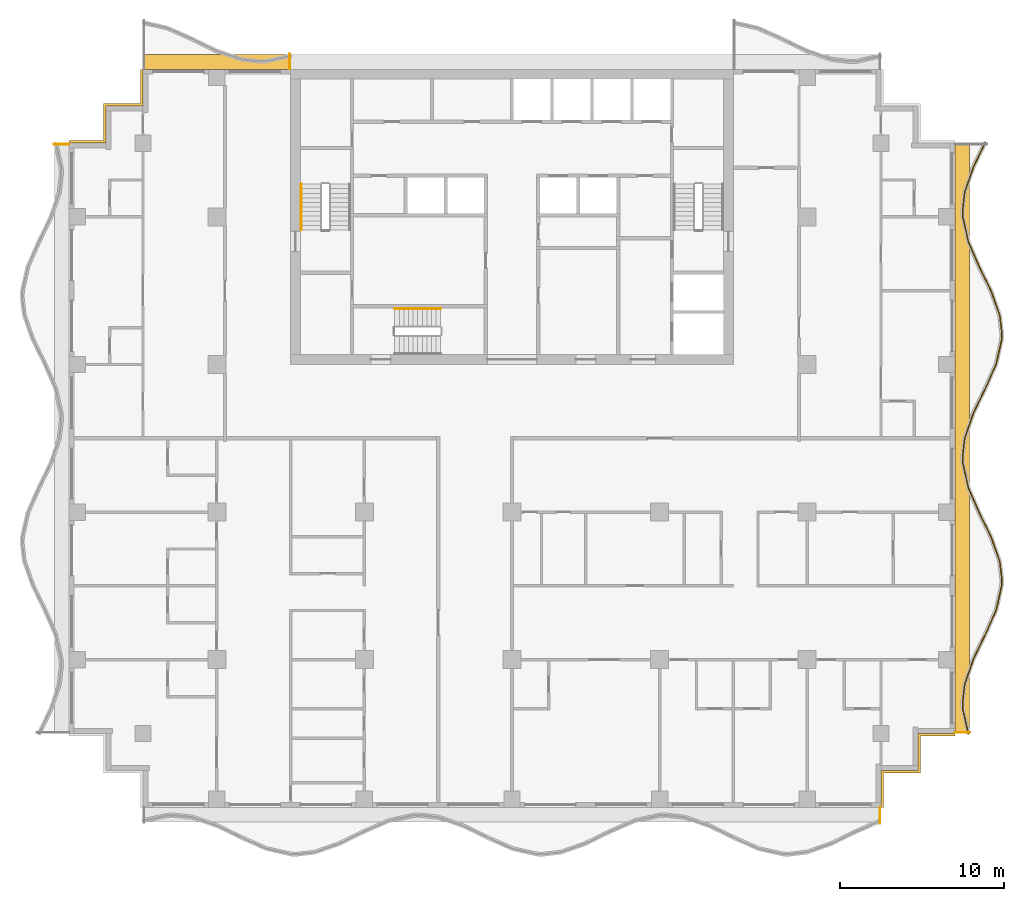
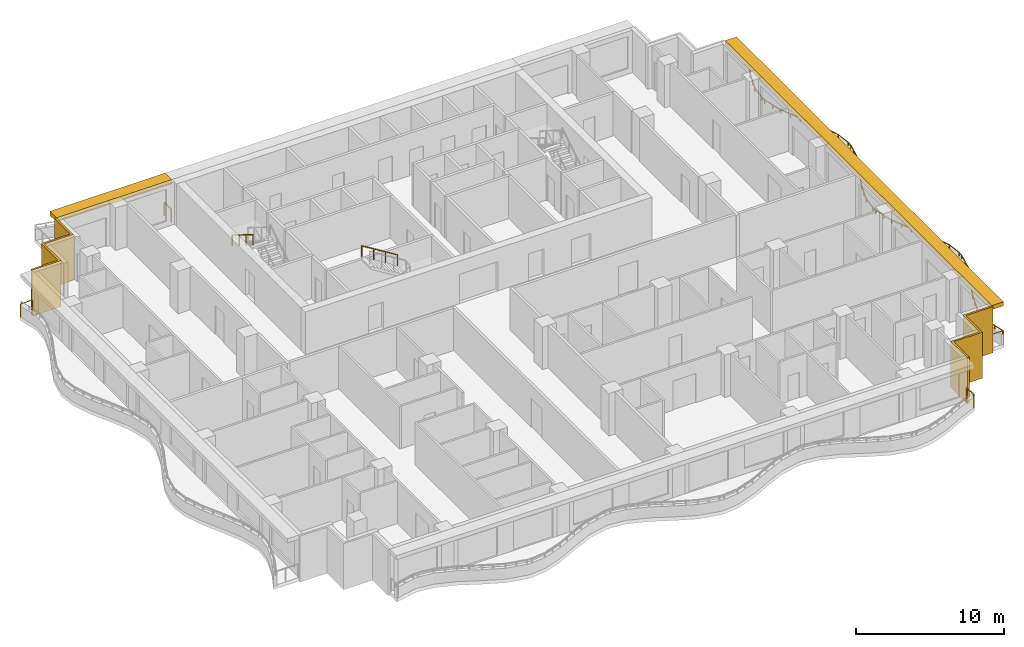
# One storey, part 10 of 11: 7 railings, 4 shading devices.
"""IFC4 building model written with IfcOpenShell, lengths in metres."""

from ifc_helpers import new_model, si_unit, direction, frame, origin, origin_2d, place, context, subcontext, project, spatial, polyline, rectangle, circle, outline, extrude, material, layer, layer_set, type_object, element, save


model = new_model("IFC4")

# Units and contexts
model_context = context("Model", 3, precision=1e-05, world=origin(), true_north=direction((0.0, 1.0)))
body_context = subcontext(model_context, "Body", "Model", "MODEL_VIEW")
ifc_project = project(units=[si_unit("LENGTHUNIT", "METRE"), si_unit("AREAUNIT", "SQUARE_METRE"), si_unit("VOLUMEUNIT", "CUBIC_METRE"), si_unit("PLANEANGLEUNIT", "RADIAN"), si_unit("MASSUNIT", "GRAM", prefix="KILO")], contexts=[model_context])

# Site, building, storey
site_placement = place(None, origin())
site = spatial("IfcSite", under=ifc_project, at=site_placement, CompositionType="ELEMENT")
building_placement = place(site_placement, origin())
building = spatial("IfcBuilding", under=site, at=building_placement, Name="Orbiselva Terraces", CompositionType="ELEMENT")
storey_placement = place(building_placement, frame((0.0, 0.0, 199.6)))
storey = spatial("IfcBuildingStorey", under=building, at=storey_placement, Name="L50", CompositionType="ELEMENT", Elevation=199.6)

# Railings
ifc_material_1 = material(Name="Stainless steel", Category="steel")
railing_type_1 = type_object("IfcRailingType", Name="CORE-HANDRAIL-900", PredefinedType="HANDRAIL", material=ifc_material_1)
railing_1_placement = place(storey_placement, frame((-12.85, 15.5, 2.072727)))
element("IfcRailing", 1, at=railing_1_placement, inside=storey, type_object=railing_type_1, Name="L50 S1 stair handrail 2", PredefinedType="HANDRAIL", context=body_context, shape_type="SweptSolid", body=[
    extrude(circle(Radius=0.024, at=origin_2d()), frame((0.0, 0.0, 0.876), z_axis=(0.0, -0.851088519012, 0.52502222125), x_axis=(1.0, 0.0, 0.0)), (0.0, 0.0, 1.0), 3.289905),
    extrude(circle(Radius=0.021, at=origin_2d()), origin(), (0.0, 0.0, 1.0), 0.852),
    extrude(circle(Radius=0.021, at=origin_2d()), frame((0.0, -0.933333, 0.575758)), (0.0, 0.0, 1.0), 0.852),
    extrude(circle(Radius=0.021, at=origin_2d()), frame((0.0, -1.866667, 1.151515)), (0.0, 0.0, 1.0), 0.852),
    extrude(circle(Radius=0.021, at=origin_2d()), frame((0.0, -2.8, 1.727273)), (0.0, 0.0, 1.0), 0.852),
])
railing_2_placement = place(storey_placement, frame((-4.35, 7.9, 2.072727)))
element("IfcRailing", 2, at=railing_2_placement, inside=storey, type_object=railing_type_1, Name="L50 S3 stair handrail 2", PredefinedType="HANDRAIL", context=body_context, shape_type="SweptSolid", body=[
    extrude(circle(Radius=0.024, at=origin_2d()), frame((0.0, 0.0, 0.876), z_axis=(-0.851088519012, 0.0, 0.52502222125), x_axis=(0.0, -1.0, 0.0)), (0.0, 0.0, 1.0), 3.289905),
    extrude(circle(Radius=0.021, at=origin_2d()), origin(), (0.0, 0.0, 1.0), 0.852),
    extrude(circle(Radius=0.021, at=origin_2d()), frame((-0.933333, 0.0, 0.575758)), (0.0, 0.0, 1.0), 0.852),
    extrude(circle(Radius=0.021, at=origin_2d()), frame((-1.866667, 0.0, 1.151515)), (0.0, 0.0, 1.0), 0.852),
    extrude(circle(Radius=0.021, at=origin_2d()), frame((-2.8, 0.0, 1.727273)), (0.0, 0.0, 1.0), 0.852),
])
ifc_material_2 = material(Name="Bonded two-ply safety glass balustrade, stainless steel posts", Category="steel")
railing_type_2 = type_object("IfcRailingType", Name="ENV-BALUSTRADE-1200", PredefinedType="BALUSTRADE", material=ifc_material_2)
railing_3_placement = place(storey_placement, frame((27.829507, -18.027377, 0.9)))
element("IfcRailing", 3, at=railing_3_placement, inside=storey, type_object=railing_type_2, Name="Balcony balustrade L50 E", PredefinedType="BALUSTRADE", context=body_context, shape_type="SweptSolid", body=[
    extrude(outline(polyline([(0.028868, 0.0), (0.014434, 0.025), (-0.014434, 0.025), (-0.028868, 0.0), (-0.014434, -0.025), (0.014434, -0.025), (0.028868, 0.0)])), frame((0.0, 0.0, 0.275), z_axis=(-0.219015484484, 0.97572138316, 0.0), x_axis=(-0.97572138316, -0.219015484484, 0.0)), (0.0, 0.0, 1.0), 1.548694),
    extrude(outline(polyline([(0.028868, 0.0), (0.014434, 0.025), (-0.014434, 0.025), (-0.028868, 0.0), (-0.014434, -0.025), (0.014434, -0.025), (0.028868, 0.0)])), frame((-0.339188, 1.511094, 0.275), z_axis=(-0.03936915532, 0.999224734286, 0.0), x_axis=(-0.999224734286, -0.03936915532, 0.0)), (0.0, 0.0, 1.0), 0.396376),
    extrude(outline(polyline([(0.028868, 0.0), (0.014434, 0.025), (-0.014434, 0.025), (-0.028868, 0.0), (-0.014434, -0.025), (0.014434, -0.025), (0.028868, 0.0)])), frame((-0.354793, 1.907163, 0.275), z_axis=(0.115482182324, 0.993309551734, 0.0), x_axis=(-0.993309551734, 0.115482182324, 0.0)), (0.0, 0.0, 1.0), 1.156135),
    extrude(outline(polyline([(0.028868, 0.0), (0.014434, 0.025), (-0.014434, 0.025), (-0.028868, 0.0), (-0.014434, -0.025), (0.014434, -0.025), (0.028868, 0.0)])), frame((-0.22128, 3.055563, 0.275), z_axis=(0.330024597479, 0.943972332783, 0.0), x_axis=(-0.943972332783, 0.330024597479, 0.0)), (0.0, 0.0, 1.0), 1.610253),
    extrude(outline(polyline([(0.028868, 0.0), (0.014434, 0.025), (-0.014434, 0.025), (-0.028868, 0.0), (-0.014434, -0.025), (0.014434, -0.025), (0.028868, 0.0)])), frame((0.310143, 4.575597, 0.275), z_axis=(0.438812048596, 0.898578870221, 0.0), x_axis=(-0.898578870221, 0.438812048596, 0.0)), (0.0, 0.0, 1.0), 1.674225),
    extrude(outline(polyline([(0.028868, 0.0), (0.014434, 0.025), (-0.014434, 0.025), (-0.028868, 0.0), (-0.014434, -0.025), (0.014434, -0.025), (0.028868, 0.0)])), frame((1.044813, 6.08002, 0.275), z_axis=(0.403151245402, 0.915133363686, 0.0), x_axis=(-0.915133363686, 0.403151245402, 0.0)), (0.0, 0.0, 1.0), 1.624475),
    extrude(outline(polyline([(0.028868, 0.0), (0.014434, 0.025), (-0.014434, 0.025), (-0.028868, 0.0), (-0.014434, -0.025), (0.014434, -0.025), (0.028868, 0.0)])), frame((1.699722, 7.566631, 0.275), z_axis=(0.219015740235, 0.975721325753, 0.0), x_axis=(-0.975721325753, 0.219015740235, 0.0)), (0.0, 0.0, 1.0), 1.513782),
    extrude(outline(polyline([(0.028868, 0.0), (0.014434, 0.025), (-0.014434, 0.025), (-0.028868, 0.0), (-0.014434, -0.025), (0.014434, -0.025), (0.028868, 0.0)])), frame((2.031264, 9.04366, 0.275), z_axis=(0.039364150694, 0.999224931454, 0.0), x_axis=(-0.999224931454, 0.039364150694, 0.0)), (0.0, 0.0, 1.0), 0.354206),
    extrude(outline(polyline([(0.028868, 0.0), (0.014434, 0.025), (-0.014434, 0.025), (-0.028868, 0.0), (-0.014434, -0.025), (0.014434, -0.025), (0.028868, 0.0)])), frame((2.045207, 9.397591, 0.275), z_axis=(-0.115481264762, 0.993309658409, 0.0), x_axis=(-0.993309658409, -0.115481264762, 0.0)), (0.0, 0.0, 1.0), 1.10902),
    extrude(outline(polyline([(0.028868, 0.0), (0.014434, 0.025), (-0.014434, 0.025), (-0.028868, 0.0), (-0.014434, -0.025), (0.014434, -0.025), (0.028868, 0.0)])), frame((1.917136, 10.499191, 0.275), z_axis=(-0.330024754707, 0.943972277814, 0.0), x_axis=(-0.943972277814, -0.330024754707, 0.0)), (0.0, 0.0, 1.0), 1.567807),
    extrude(outline(polyline([(0.028868, 0.0), (0.014434, 0.025), (-0.014434, 0.025), (-0.028868, 0.0), (-0.014434, -0.025), (0.014434, -0.025), (0.028868, 0.0)])), frame((1.399721, 11.979157, 0.275), z_axis=(-0.438811978768, 0.89857890432, 0.0), x_axis=(-0.89857890432, -0.438811978768, 0.0)), (0.0, 0.0, 1.0), 1.66438),
    extrude(outline(polyline([(0.028868, 0.0), (0.014434, 0.025), (-0.014434, 0.025), (-0.028868, 0.0), (-0.014434, -0.025), (0.014434, -0.025), (0.028868, 0.0)])), frame((0.669371, 13.474734, 0.275), z_axis=(-0.403150874148, 0.915133527237, 0.0), x_axis=(-0.915133527237, -0.403150874148, 0.0)), (0.0, 0.0, 1.0), 1.653736),
    extrude(outline(polyline([(0.028868, 0.0), (0.014434, 0.025), (-0.014434, 0.025), (-0.028868, 0.0), (-0.014434, -0.025), (0.014434, -0.025), (0.028868, 0.0)])), frame((0.002666, 14.988123, 0.275), z_axis=(-0.219015500924, 0.97572137947, 0.0), x_axis=(-0.97572137947, -0.219015500924, 0.0)), (0.0, 0.0, 1.0), 1.560867),
    extrude(outline(polyline([(0.028868, 0.0), (0.014434, 0.025), (-0.014434, 0.025), (-0.028868, 0.0), (-0.014434, -0.025), (0.014434, -0.025), (0.028868, 0.0)])), frame((-0.339188, 16.511094, 0.275), z_axis=(-0.03936915532, 0.999224734286, 0.0), x_axis=(-0.999224734286, -0.03936915532, 0.0)), (0.0, 0.0, 1.0), 0.396376),
    extrude(outline(polyline([(0.028868, 0.0), (0.014434, 0.025), (-0.014434, 0.025), (-0.028868, 0.0), (-0.014434, -0.025), (0.014434, -0.025), (0.028868, 0.0)])), frame((-0.354793, 16.907163, 0.275), z_axis=(0.115482182324, 0.993309551734, 0.0), x_axis=(-0.993309551734, 0.115482182324, 0.0)), (0.0, 0.0, 1.0), 1.156135),
    extrude(outline(polyline([(0.028868, 0.0), (0.014434, 0.025), (-0.014434, 0.025), (-0.028868, 0.0), (-0.014434, -0.025), (0.014434, -0.025), (0.028868, 0.0)])), frame((-0.22128, 18.055563, 0.275), z_axis=(0.330024597479, 0.943972332783, 0.0), x_axis=(-0.943972332783, 0.330024597479, 0.0)), (0.0, 0.0, 1.0), 1.610253),
    extrude(outline(polyline([(0.028868, 0.0), (0.014434, 0.025), (-0.014434, 0.025), (-0.028868, 0.0), (-0.014434, -0.025), (0.014434, -0.025), (0.028868, 0.0)])), frame((0.310143, 19.575597, 0.275), z_axis=(0.438812048596, 0.898578870221, 0.0), x_axis=(-0.898578870221, 0.438812048596, 0.0)), (0.0, 0.0, 1.0), 1.674225),
    extrude(outline(polyline([(0.028868, 0.0), (0.014434, 0.025), (-0.014434, 0.025), (-0.028868, 0.0), (-0.014434, -0.025), (0.014434, -0.025), (0.028868, 0.0)])), frame((1.044813, 21.08002, 0.275), z_axis=(0.403151245402, 0.915133363686, 0.0), x_axis=(-0.915133363686, 0.403151245402, 0.0)), (0.0, 0.0, 1.0), 1.624475),
    extrude(outline(polyline([(0.028868, 0.0), (0.014434, 0.025), (-0.014434, 0.025), (-0.028868, 0.0), (-0.014434, -0.025), (0.014434, -0.025), (0.028868, 0.0)])), frame((1.699722, 22.566631, 0.275), z_axis=(0.219015740235, 0.975721325753, 0.0), x_axis=(-0.975721325753, 0.219015740235, 0.0)), (0.0, 0.0, 1.0), 1.513782),
    extrude(outline(polyline([(0.028868, 0.0), (0.014434, 0.025), (-0.014434, 0.025), (-0.028868, 0.0), (-0.014434, -0.025), (0.014434, -0.025), (0.028868, 0.0)])), frame((2.031264, 24.04366, 0.275), z_axis=(0.039364150694, 0.999224931454, 0.0), x_axis=(-0.999224931454, 0.039364150694, 0.0)), (0.0, 0.0, 1.0), 0.354206),
    extrude(outline(polyline([(0.028868, 0.0), (0.014434, 0.025), (-0.014434, 0.025), (-0.028868, 0.0), (-0.014434, -0.025), (0.014434, -0.025), (0.028868, 0.0)])), frame((2.045207, 24.397591, 0.275), z_axis=(-0.115481264762, 0.993309658409, 0.0), x_axis=(-0.993309658409, -0.115481264762, 0.0)), (0.0, 0.0, 1.0), 1.10902),
    extrude(outline(polyline([(0.028868, 0.0), (0.014434, 0.025), (-0.014434, 0.025), (-0.028868, 0.0), (-0.014434, -0.025), (0.014434, -0.025), (0.028868, 0.0)])), frame((1.917136, 25.499191, 0.275), z_axis=(-0.330024754707, 0.943972277814, 0.0), x_axis=(-0.943972277814, -0.330024754707, 0.0)), (0.0, 0.0, 1.0), 1.567807),
    extrude(outline(polyline([(0.028868, 0.0), (0.014434, 0.025), (-0.014434, 0.025), (-0.028868, 0.0), (-0.014434, -0.025), (0.014434, -0.025), (0.028868, 0.0)])), frame((1.399721, 26.979157, 0.275), z_axis=(-0.438811978768, 0.89857890432, 0.0), x_axis=(-0.89857890432, -0.438811978768, 0.0)), (0.0, 0.0, 1.0), 1.66438),
    extrude(outline(polyline([(0.028868, 0.0), (0.014434, 0.025), (-0.014434, 0.025), (-0.028868, 0.0), (-0.014434, -0.025), (0.014434, -0.025), (0.028868, 0.0)])), frame((0.669371, 28.474734, 0.275), z_axis=(-0.403150874148, 0.915133527237, 0.0), x_axis=(-0.915133527237, -0.403150874148, 0.0)), (0.0, 0.0, 1.0), 1.653736),
    extrude(outline(polyline([(0.028868, 0.0), (0.014434, 0.025), (-0.014434, 0.025), (-0.028868, 0.0), (-0.014434, -0.025), (0.014434, -0.025), (0.028868, 0.0)])), frame((0.002666, 29.988123, 0.275), z_axis=(-0.219015500924, 0.97572137947, 0.0), x_axis=(-0.97572137947, -0.219015500924, 0.0)), (0.0, 0.0, 1.0), 1.560867),
    extrude(outline(polyline([(0.028868, 0.0), (0.014434, 0.025), (-0.014434, 0.025), (-0.028868, 0.0), (-0.014434, -0.025), (0.014434, -0.025), (0.028868, 0.0)])), frame((-0.339188, 31.511094, 0.275), z_axis=(-0.03936915532, 0.999224734286, 0.0), x_axis=(-0.999224734286, -0.03936915532, 0.0)), (0.0, 0.0, 1.0), 0.396376),
    extrude(outline(polyline([(0.028868, 0.0), (0.014434, 0.025), (-0.014434, 0.025), (-0.028868, 0.0), (-0.014434, -0.025), (0.014434, -0.025), (0.028868, 0.0)])), frame((-0.354793, 31.907163, 0.275), z_axis=(0.115482182324, 0.993309551734, 0.0), x_axis=(-0.993309551734, 0.115482182324, 0.0)), (0.0, 0.0, 1.0), 1.156135),
    extrude(outline(polyline([(0.028868, 0.0), (0.014434, 0.025), (-0.014434, 0.025), (-0.028868, 0.0), (-0.014434, -0.025), (0.014434, -0.025), (0.028868, 0.0)])), frame((-0.22128, 33.055563, 0.275), z_axis=(0.330024597479, 0.943972332783, 0.0), x_axis=(-0.943972332783, 0.330024597479, 0.0)), (0.0, 0.0, 1.0), 1.610253),
    extrude(outline(polyline([(0.028868, 0.0), (0.014434, 0.025), (-0.014434, 0.025), (-0.028868, 0.0), (-0.014434, -0.025), (0.014434, -0.025), (0.028868, 0.0)])), frame((0.310143, 34.575597, 0.275), z_axis=(0.43881217228, 0.898578809821, 0.0), x_axis=(-0.898578809821, 0.43881217228, 0.0)), (0.0, 0.0, 1.0), 1.676683),
    extrude(rectangle(XDim=0.05, YDim=0.05, at=origin_2d()), origin(), (0.0, 0.0, 1.0), 0.25),
    extrude(rectangle(XDim=0.05, YDim=0.05, at=origin_2d()), frame((-0.169594, 0.755547, 0.0)), (0.0, 0.0, 1.0), 0.25),
    extrude(rectangle(XDim=0.05, YDim=0.05, at=origin_2d()), frame((-0.339188, 1.511094, 0.0)), (0.0, 0.0, 1.0), 0.25),
    extrude(rectangle(XDim=0.05, YDim=0.05, at=origin_2d()), frame((-0.354793, 1.907163, 0.0)), (0.0, 0.0, 1.0), 0.25),
    extrude(rectangle(XDim=0.05, YDim=0.05, at=origin_2d()), frame((-0.22128, 3.055563, 0.0)), (0.0, 0.0, 1.0), 0.25),
    extrude(rectangle(XDim=0.05, YDim=0.05, at=origin_2d()), frame((0.044431, 3.81558, 0.0)), (0.0, 0.0, 1.0), 0.25),
    extrude(rectangle(XDim=0.05, YDim=0.05, at=origin_2d()), frame((0.310143, 4.575597, 0.0)), (0.0, 0.0, 1.0), 0.25),
    extrude(rectangle(XDim=0.05, YDim=0.05, at=origin_2d()), frame((0.677478, 5.327809, 0.0)), (0.0, 0.0, 1.0), 0.25),
    extrude(rectangle(XDim=0.05, YDim=0.05, at=origin_2d()), frame((1.044813, 6.08002, 0.0)), (0.0, 0.0, 1.0), 0.25),
    extrude(rectangle(XDim=0.05, YDim=0.05, at=origin_2d()), frame((1.372268, 6.823326, 0.0)), (0.0, 0.0, 1.0), 0.25),
    extrude(rectangle(XDim=0.05, YDim=0.05, at=origin_2d()), frame((1.699722, 7.566631, 0.0)), (0.0, 0.0, 1.0), 0.25),
    extrude(rectangle(XDim=0.05, YDim=0.05, at=origin_2d()), frame((1.865493, 8.305146, 0.0)), (0.0, 0.0, 1.0), 0.25),
    extrude(rectangle(XDim=0.05, YDim=0.05, at=origin_2d()), frame((2.031264, 9.04366, 0.0)), (0.0, 0.0, 1.0), 0.25),
    extrude(rectangle(XDim=0.05, YDim=0.05, at=origin_2d()), frame((2.045207, 9.397591, 0.0)), (0.0, 0.0, 1.0), 0.25),
    extrude(rectangle(XDim=0.05, YDim=0.05, at=origin_2d()), frame((1.917136, 10.499191, 0.0)), (0.0, 0.0, 1.0), 0.25),
    extrude(rectangle(XDim=0.05, YDim=0.05, at=origin_2d()), frame((1.658428, 11.239174, 0.0)), (0.0, 0.0, 1.0), 0.25),
    extrude(rectangle(XDim=0.05, YDim=0.05, at=origin_2d()), frame((1.399721, 11.979157, 0.0)), (0.0, 0.0, 1.0), 0.25),
    extrude(rectangle(XDim=0.05, YDim=0.05, at=origin_2d()), frame((1.034546, 12.726946, 0.0)), (0.0, 0.0, 1.0), 0.25),
    extrude(rectangle(XDim=0.05, YDim=0.05, at=origin_2d()), frame((0.669371, 13.474734, 0.0)), (0.0, 0.0, 1.0), 0.25),
    extrude(rectangle(XDim=0.05, YDim=0.05, at=origin_2d()), frame((0.336019, 14.231429, 0.0)), (0.0, 0.0, 1.0), 0.25),
    extrude(rectangle(XDim=0.05, YDim=0.05, at=origin_2d()), frame((0.002666, 14.988123, 0.0)), (0.0, 0.0, 1.0), 0.25),
    extrude(rectangle(XDim=0.05, YDim=0.05, at=origin_2d()), frame((-0.168261, 15.749608, 0.0)), (0.0, 0.0, 1.0), 0.25),
    extrude(rectangle(XDim=0.05, YDim=0.05, at=origin_2d()), frame((-0.339188, 16.511094, 0.0)), (0.0, 0.0, 1.0), 0.25),
    extrude(rectangle(XDim=0.05, YDim=0.05, at=origin_2d()), frame((-0.354793, 16.907163, 0.0)), (0.0, 0.0, 1.0), 0.25),
    extrude(rectangle(XDim=0.05, YDim=0.05, at=origin_2d()), frame((-0.22128, 18.055563, 0.0)), (0.0, 0.0, 1.0), 0.25),
    extrude(rectangle(XDim=0.05, YDim=0.05, at=origin_2d()), frame((0.044431, 18.81558, 0.0)), (0.0, 0.0, 1.0), 0.25),
    extrude(rectangle(XDim=0.05, YDim=0.05, at=origin_2d()), frame((0.310143, 19.575597, 0.0)), (0.0, 0.0, 1.0), 0.25),
    extrude(rectangle(XDim=0.05, YDim=0.05, at=origin_2d()), frame((0.677478, 20.327809, 0.0)), (0.0, 0.0, 1.0), 0.25),
    extrude(rectangle(XDim=0.05, YDim=0.05, at=origin_2d()), frame((1.044813, 21.08002, 0.0)), (0.0, 0.0, 1.0), 0.25),
    extrude(rectangle(XDim=0.05, YDim=0.05, at=origin_2d()), frame((1.372268, 21.823326, 0.0)), (0.0, 0.0, 1.0), 0.25),
    extrude(rectangle(XDim=0.05, YDim=0.05, at=origin_2d()), frame((1.699722, 22.566631, 0.0)), (0.0, 0.0, 1.0), 0.25),
    extrude(rectangle(XDim=0.05, YDim=0.05, at=origin_2d()), frame((1.865493, 23.305146, 0.0)), (0.0, 0.0, 1.0), 0.25),
    extrude(rectangle(XDim=0.05, YDim=0.05, at=origin_2d()), frame((2.031264, 24.04366, 0.0)), (0.0, 0.0, 1.0), 0.25),
    extrude(rectangle(XDim=0.05, YDim=0.05, at=origin_2d()), frame((2.045207, 24.397591, 0.0)), (0.0, 0.0, 1.0), 0.25),
    extrude(rectangle(XDim=0.05, YDim=0.05, at=origin_2d()), frame((1.917136, 25.499191, 0.0)), (0.0, 0.0, 1.0), 0.25),
    extrude(rectangle(XDim=0.05, YDim=0.05, at=origin_2d()), frame((1.658428, 26.239174, 0.0)), (0.0, 0.0, 1.0), 0.25),
    extrude(rectangle(XDim=0.05, YDim=0.05, at=origin_2d()), frame((1.399721, 26.979157, 0.0)), (0.0, 0.0, 1.0), 0.25),
    extrude(rectangle(XDim=0.05, YDim=0.05, at=origin_2d()), frame((1.034546, 27.726946, 0.0)), (0.0, 0.0, 1.0), 0.25),
    extrude(rectangle(XDim=0.05, YDim=0.05, at=origin_2d()), frame((0.669371, 28.474734, 0.0)), (0.0, 0.0, 1.0), 0.25),
    extrude(rectangle(XDim=0.05, YDim=0.05, at=origin_2d()), frame((0.336019, 29.231428, 0.0)), (0.0, 0.0, 1.0), 0.25),
    extrude(rectangle(XDim=0.05, YDim=0.05, at=origin_2d()), frame((0.002666, 29.988123, 0.0)), (0.0, 0.0, 1.0), 0.25),
    extrude(rectangle(XDim=0.05, YDim=0.05, at=origin_2d()), frame((-0.168261, 30.749608, 0.0)), (0.0, 0.0, 1.0), 0.25),
    extrude(rectangle(XDim=0.05, YDim=0.05, at=origin_2d()), frame((-0.339188, 31.511094, 0.0)), (0.0, 0.0, 1.0), 0.25),
    extrude(rectangle(XDim=0.05, YDim=0.05, at=origin_2d()), frame((-0.354793, 31.907163, 0.0)), (0.0, 0.0, 1.0), 0.25),
    extrude(rectangle(XDim=0.05, YDim=0.05, at=origin_2d()), frame((-0.22128, 33.055563, 0.0)), (0.0, 0.0, 1.0), 0.25),
    extrude(rectangle(XDim=0.05, YDim=0.05, at=origin_2d()), frame((0.044431, 33.81558, 0.0)), (0.0, 0.0, 1.0), 0.25),
    extrude(rectangle(XDim=0.05, YDim=0.05, at=origin_2d()), frame((0.310143, 34.575597, 0.0)), (0.0, 0.0, 1.0), 0.25),
    extrude(rectangle(XDim=0.05, YDim=0.05, at=origin_2d()), frame((0.678018, 35.328913, 0.0)), (0.0, 0.0, 1.0), 0.25),
    extrude(rectangle(XDim=0.05, YDim=0.05, at=origin_2d()), frame((1.045892, 36.082229, 0.0)), (0.0, 0.0, 1.0), 0.25),
])
ifc_material_3 = material(Name="Stainless steel rail and posts", Category="steel")
railing_type_3 = type_object("IfcRailingType", Name="ENV-GUARD-1105", PredefinedType="BALUSTRADE", material=ifc_material_3)
railing_4_placement = place(storey_placement, frame((22.44, -23.473063, 0.0)))
element("IfcRailing", 4, at=railing_4_placement, inside=storey, type_object=railing_type_3, Name="Balcony end guard L50 S", PredefinedType="BALUSTRADE", context=body_context, shape_type="SweptSolid", body=[
    extrude(outline(polyline([(0.028868, 0.0), (0.014434, 0.025), (-0.014434, 0.025), (-0.028868, 0.0), (-0.014434, -0.025), (0.014434, -0.025), (0.028868, 0.0)])), frame((0.0, 0.0, 1.08), z_axis=(0.0, 1.0, 0.0), x_axis=(-1.0, 0.0, 0.0)), (0.0, 0.0, 1.0), 0.948063),
    extrude(rectangle(XDim=0.05, YDim=0.05, at=origin_2d()), origin(), (0.0, 0.0, 1.0), 1.055),
    extrude(rectangle(XDim=0.05, YDim=0.05, at=origin_2d()), frame((0.0, 0.948063, 0.0)), (0.0, 0.0, 1.0), 1.055),
])
railing_5_placement = place(storey_placement, frame((27.930416, -17.94, 0.0)))
element("IfcRailing", 5, at=railing_5_placement, inside=storey, type_object=railing_type_3, Name="Balcony end guard L50 E", PredefinedType="BALUSTRADE", context=body_context, shape_type="SweptSolid", body=[
    extrude(outline(polyline([(0.028868, 0.0), (0.014434, 0.025), (-0.014434, 0.025), (-0.028868, 0.0), (-0.014434, -0.025), (0.014434, -0.025), (0.028868, 0.0)])), frame((0.0, 0.0, 1.08), z_axis=(-1.0, 0.0, 0.0), x_axis=(0.0, -1.0, 0.0)), (0.0, 0.0, 1.0), 0.905416),
    extrude(rectangle(XDim=0.05, YDim=0.05, at=origin_2d()), origin(), (0.0, 0.0, 1.0), 1.055),
    extrude(rectangle(XDim=0.05, YDim=0.05, at=origin_2d()), frame((-0.905416, 0.0, 0.0)), (0.0, 0.0, 1.0), 1.055),
])
railing_6_placement = place(storey_placement, frame((-13.56, 23.430416, 0.0)))
element("IfcRailing", 6, at=railing_6_placement, inside=storey, type_object=railing_type_3, Name="Balcony end guard L50 NW", PredefinedType="BALUSTRADE", context=body_context, shape_type="SweptSolid", body=[
    extrude(outline(polyline([(0.028868, 0.0), (0.014434, 0.025), (-0.014434, 0.025), (-0.028868, 0.0), (-0.014434, -0.025), (0.014434, -0.025), (0.028868, 0.0)])), frame((0.0, 0.0, 1.08), z_axis=(0.0, -1.0, 0.0), x_axis=(1.0, 0.0, 0.0)), (0.0, 0.0, 1.0), 0.905416),
    extrude(rectangle(XDim=0.05, YDim=0.05, at=origin_2d()), origin(), (0.0, 0.0, 1.0), 1.055),
    extrude(rectangle(XDim=0.05, YDim=0.05, at=origin_2d()), frame((0.0, -0.905416, 0.0)), (0.0, 0.0, 1.0), 1.055),
])
railing_7_placement = place(storey_placement, frame((-27.930416, 17.94, 0.0)))
element("IfcRailing", 7, at=railing_7_placement, inside=storey, type_object=railing_type_3, Name="Balcony end guard L50 W", PredefinedType="BALUSTRADE", context=body_context, shape_type="SweptSolid", body=[
    extrude(outline(polyline([(0.028868, 0.0), (0.014434, 0.025), (-0.014434, 0.025), (-0.028868, 0.0), (-0.014434, -0.025), (0.014434, -0.025), (0.028868, 0.0)])), frame((0.0, 0.0, 1.08), z_axis=(1.0, 0.0, 0.0), x_axis=(0.0, 1.0, 0.0)), (0.0, 0.0, 1.0), 0.905416),
    extrude(rectangle(XDim=0.05, YDim=0.05, at=origin_2d()), origin(), (0.0, 0.0, 1.0), 1.055),
    extrude(rectangle(XDim=0.05, YDim=0.05, at=origin_2d()), frame((0.905416, 0.0, 0.0)), (0.0, 0.0, 1.0), 1.055),
])

# Shading devices
ifc_material_4 = material(Name="Terracotta louvre screen", Category="masonry")
ifc_layer_1 = layer(ifc_material_4, 0.15)
ifc_layer_set_1 = layer_set([ifc_layer_1], Name="Terracotta louvre screen")
shading_device_type_1 = type_object("IfcShadingDeviceType", Name="ENV-SCREEN-150", PredefinedType="USERDEFINED", material=ifc_layer_set_1)
shading_device_1_placement = place(storey_placement, frame((0.0, 0.0, -0.3)))
element("IfcShadingDevice", 8, at=shading_device_1_placement, inside=storey, type_object=shading_device_type_1, Name="Louvre screen L50 NW", ObjectType="SCREEN", PredefinedType="USERDEFINED", context=body_context, shape_type="SweptSolid", body=[
    extrude(outline(polyline([(-22.65, 22.5), (-22.65, 20.4), (-24.9, 20.4), (-24.9, 18.15), (-27.0, 18.15), (-27.0, 18.0), (-24.75, 18.0), (-24.75, 20.25), (-22.5, 20.25), (-22.5, 22.5), (-22.65, 22.5)])), origin(), (0.0, 0.0, 1.0), 3.8),
])
shading_device_2_placement = place(storey_placement, frame((0.0, 0.0, -0.3)))
element("IfcShadingDevice", 9, at=shading_device_2_placement, inside=storey, type_object=shading_device_type_1, Name="Louvre screen L50 SE", ObjectType="SCREEN", PredefinedType="USERDEFINED", context=body_context, shape_type="SweptSolid", body=[
    extrude(outline(polyline([(22.65, -22.5), (22.65, -20.4), (24.9, -20.4), (24.9, -18.15), (27.0, -18.15), (27.0, -18.0), (24.75, -18.0), (24.75, -20.25), (22.5, -20.25), (22.5, -22.5), (22.65, -22.5)])), origin(), (0.0, 0.0, 1.0), 3.8),
])
ifc_material_5 = material(Name="Terracotta baguette sunshade", Category="masonry")
ifc_layer_2 = layer(ifc_material_5, 0.35)
ifc_layer_set_2 = layer_set([ifc_layer_2], Name="Terracotta baguette sunshade")
shading_device_type_2 = type_object("IfcShadingDeviceType", Name="ENV-SUNSHADE-900x350", PredefinedType="USERDEFINED", material=ifc_layer_set_2)
shading_device_3_placement = place(storey_placement, frame((0.0, 0.0, 3.15)))
element("IfcShadingDevice", 10, at=shading_device_3_placement, inside=storey, type_object=shading_device_type_2, Name="Sunshade band L50 E", ObjectType="SUNSHADE", PredefinedType="USERDEFINED", context=body_context, shape_type="SweptSolid", body=[
    extrude(outline(polyline([(27.9, -18.0), (27.9, 18.0), (27.0, 18.0), (27.0, -18.0), (27.9, -18.0)])), origin(), (0.0, 0.0, 1.0), 0.35),
])
shading_device_4_placement = place(storey_placement, frame((0.0, 0.0, 3.15)))
element("IfcShadingDevice", 11, at=shading_device_4_placement, inside=storey, type_object=shading_device_type_2, Name="Sunshade band L50 NW", ObjectType="SUNSHADE", PredefinedType="USERDEFINED", context=body_context, shape_type="SweptSolid", body=[
    extrude(outline(polyline([(-13.5, 23.4), (-22.5, 23.4), (-22.5, 22.5), (-13.5, 22.5), (-13.5, 23.4)])), origin(), (0.0, 0.0, 1.0), 0.35),
])

save(model, "model.ifc")
